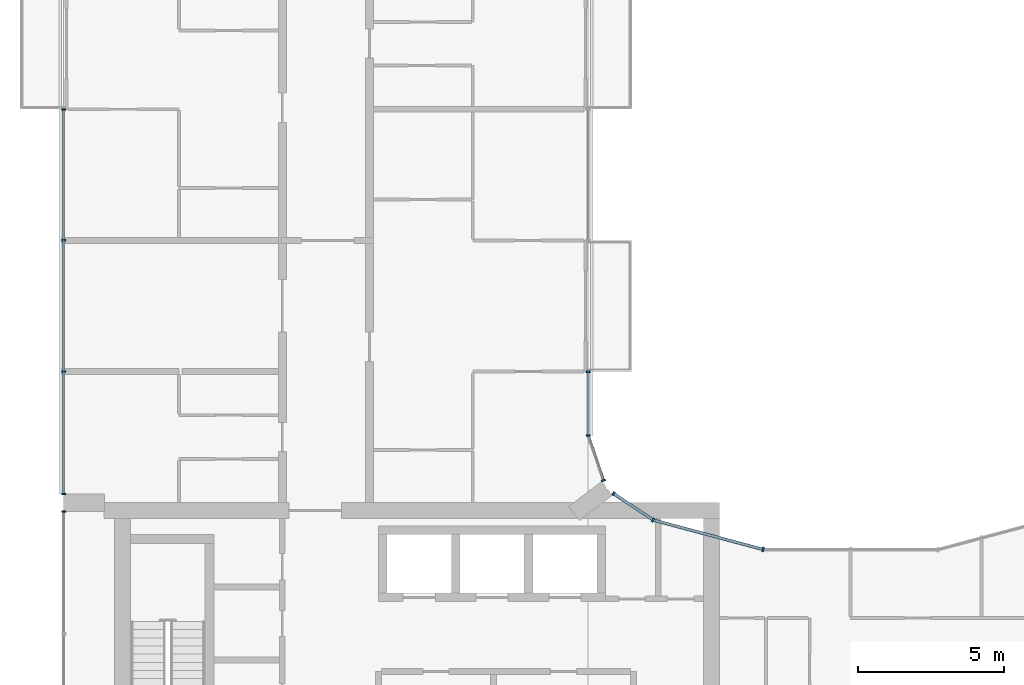
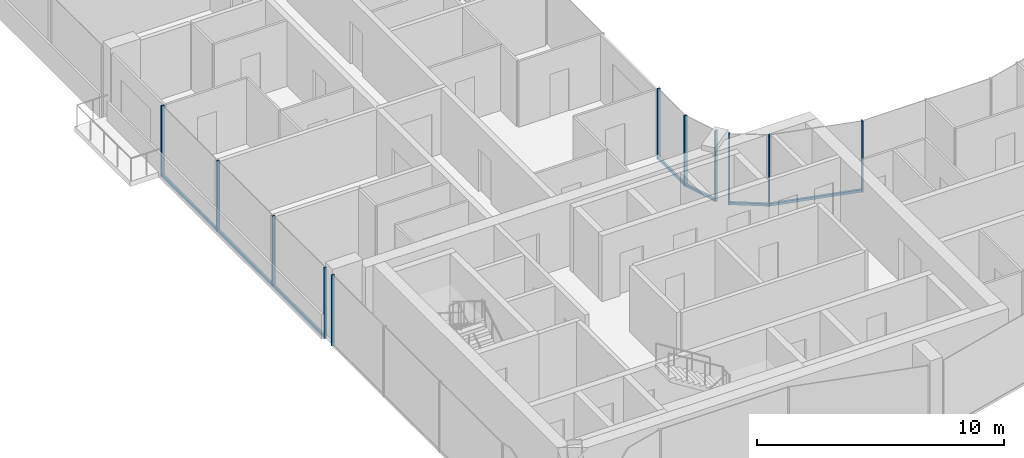
# One storey, part 4 of 15: 16 members, 6 elements without a shape of their own.
"""IFC4 building model written with IfcOpenShell, lengths in metres."""

from ifc_helpers import new_model, si_unit, direction, frame, origin, origin_2d, place, context, subcontext, project, spatial, rectangle, extrude, material, layer, layer_set, material_profile, profile_set, type_object, element, aggregate, save


model = new_model("IFC4")

# Units and contexts
model_context = context("Model", 3, precision=1e-05, world=origin(), true_north=direction((0.0, 1.0)))
body_context = subcontext(model_context, "Body", "Model", "MODEL_VIEW")
ifc_project = project(units=[si_unit("LENGTHUNIT", "METRE"), si_unit("AREAUNIT", "SQUARE_METRE"), si_unit("VOLUMEUNIT", "CUBIC_METRE"), si_unit("PLANEANGLEUNIT", "RADIAN"), si_unit("MASSUNIT", "GRAM", prefix="KILO")], contexts=[model_context])

# Site, building, storey
site_placement = place(None, origin())
site = spatial("IfcSite", under=ifc_project, at=site_placement, CompositionType="ELEMENT")
building_placement = place(site_placement, origin())
building = spatial("IfcBuilding", under=site, at=building_placement, Name="Plateau Cross Towers", CompositionType="ELEMENT")
storey_placement = place(building_placement, frame((0.0, 0.0, 201.39990234375)))
storey = spatial("IfcBuildingStorey", under=building, at=storey_placement, Name="L52", CompositionType="ELEMENT", Elevation=201.39990234375)

# Curtain wall, members
ifc_material_1 = material(Name="Dark low-iron glass", Category="glass")
ifc_layer_1 = layer(ifc_material_1, 0.239990234375)
ifc_layer_set_1 = layer_set([ifc_layer_1], Name="Dark low-iron glass")
curtain_wall_type_1 = type_object("IfcCurtainWallType", Name="Curtain wall flush unitised CW-B", PredefinedType="NOTDEFINED", material=ifc_layer_set_1)
curtain_wall_1_placement = place(storey_placement, origin())
curtain_wall_1 = element("IfcCurtainWall", 1, at=curtain_wall_1_placement, inside=storey, type_object=curtain_wall_type_1, Name="ENV/A/L52/A202_174", PredefinedType="NOTDEFINED")
ifc_material_2 = material(Name="Black anodised aluminium", Category="aluminium")
ifc_material_profile_1 = material_profile(ifc_material_2, rectangle(XDim=0.06005859375, YDim=0.139892578125, at=origin_2d()), Name="MULLION 60x140")
ifc_profile_set_1 = profile_set([ifc_material_profile_1], Name="Black anodised aluminium")
member_type_1 = type_object("IfcMemberType", Name="Mullion 60x140 flush unitised", PredefinedType="MULLION", material=ifc_profile_set_1)
member_1_placement = place(storey_placement, frame((20.223876953125, 17.404296875, -0.25), z_axis=(0.0, 0.0, 1.0), x_axis=(-0.831521253329, 0.555492938984, 0.0)))
member_1 = element("IfcMember", 2, at=member_1_placement, type_object=member_type_1, Name="CW-B mullion 1", PredefinedType="MULLION", context=body_context, shape_type="SweptSolid", body=[
    extrude(rectangle(XDim=0.06005859375, YDim=0.139892578125, at=origin_2d()), origin(), (0.0, 0.0, 1.0), 3.5),
])
member_2_placement = place(storey_placement, frame((18.86962890625, 18.30908203125, -0.25), z_axis=(0.0, 0.0, 1.0), x_axis=(-0.831521253329, 0.555492938984, 0.0)))
member_2 = element("IfcMember", 3, at=member_2_placement, type_object=member_type_1, Name="CW-B mullion 2", PredefinedType="MULLION", context=body_context, shape_type="SweptSolid", body=[
    extrude(rectangle(XDim=0.06005859375, YDim=0.139892578125, at=origin_2d()), origin(), (0.0, 0.0, 1.0), 3.5),
])

# Curtain wall, member
curtain_wall_2_placement = place(storey_placement, origin())
curtain_wall_2 = element("IfcCurtainWall", 4, at=curtain_wall_2_placement, inside=storey, type_object=curtain_wall_type_1, Name="ENV/A/L52/A185_188", PredefinedType="NOTDEFINED")
member_3_placement = place(storey_placement, frame((18.523681640625, 18.760009765625, -0.25), z_axis=(0.0, 0.0, 1.0), x_axis=(-0.321469161574, 0.94692004845, 0.0)))
member_3 = element("IfcMember", 5, at=member_3_placement, type_object=member_type_1, Name="CW-B mullion 1", PredefinedType="MULLION", context=body_context, shape_type="SweptSolid", body=[
    extrude(rectangle(XDim=0.06005859375, YDim=0.139892578125, at=origin_2d()), origin(), (0.0, 0.0, 1.0), 3.5),
])

# Curtain wall, members
curtain_wall_3_placement = place(storey_placement, origin())
curtain_wall_3 = element("IfcCurtainWall", 6, at=curtain_wall_3_placement, inside=storey, type_object=curtain_wall_type_1, Name="ENV/A/L52/A180_203", PredefinedType="NOTDEFINED")
member_4_placement = place(storey_placement, frame((18.0, 20.30224609375, -0.25), z_axis=(0.0, 0.0, 1.0), x_axis=(0.0, 1.0, 0.0)))
member_4 = element("IfcMember", 7, at=member_4_placement, type_object=member_type_1, Name="CW-B mullion 1", PredefinedType="MULLION", context=body_context, shape_type="SweptSolid", body=[
    extrude(rectangle(XDim=0.06005859375, YDim=0.139892578125, at=origin_2d()), origin(), (0.0, 0.0, 1.0), 3.5),
])
member_5_placement = place(storey_placement, frame((18.0, 22.489990234375, -0.25), z_axis=(0.0, 0.0, 1.0), x_axis=(0.0, 1.0, 0.0)))
member_5 = element("IfcMember", 8, at=member_5_placement, type_object=member_type_1, Name="CW-B mullion 2", PredefinedType="MULLION", context=body_context, shape_type="SweptSolid", body=[
    extrude(rectangle(XDim=0.06005859375, YDim=0.139892578125, at=origin_2d()), origin(), (0.0, 0.0, 1.0), 3.5),
])

curtain_wall_4_placement = place(storey_placement, origin())
curtain_wall_4 = element("IfcCurtainWall", 9, at=curtain_wall_4_placement, inside=storey, type_object=curtain_wall_type_1, Name="ENV/A/L52/A0_315", PredefinedType="NOTDEFINED")
member_6_placement = place(storey_placement, frame((0.0, 31.489990234375, -0.25), z_axis=(0.0, 0.0, 1.0), x_axis=(0.0, -1.0, 0.0)))
member_6 = element("IfcMember", 10, at=member_6_placement, type_object=member_type_1, Name="CW-B mullion 1", PredefinedType="MULLION", context=body_context, shape_type="SweptSolid", body=[
    extrude(rectangle(XDim=0.06005859375, YDim=0.139892578125, at=origin_2d()), origin(), (0.0, 0.0, 1.0), 3.5),
])
member_7_placement = place(storey_placement, frame((0.0, 27.0, -0.25), z_axis=(0.0, 0.0, 1.0), x_axis=(0.0, -1.0, 0.0)))
member_7 = element("IfcMember", 11, at=member_7_placement, type_object=member_type_1, Name="CW-B mullion 2", PredefinedType="MULLION", context=body_context, shape_type="SweptSolid", body=[
    extrude(rectangle(XDim=0.06005859375, YDim=0.139892578125, at=origin_2d()), origin(), (0.0, 0.0, 1.0), 3.5),
])
member_8_placement = place(storey_placement, frame((0.0, 22.5, -0.25), z_axis=(0.0, 0.0, 1.0), x_axis=(0.0, -1.0, 0.0)))
member_8 = element("IfcMember", 12, at=member_8_placement, type_object=member_type_1, Name="CW-B mullion 3", PredefinedType="MULLION", context=body_context, shape_type="SweptSolid", body=[
    extrude(rectangle(XDim=0.06005859375, YDim=0.139892578125, at=origin_2d()), origin(), (0.0, 0.0, 1.0), 3.5),
])
member_9_placement = place(storey_placement, frame((0.0, 18.300048828125, -0.25), z_axis=(0.0, 0.0, 1.0), x_axis=(0.0, -1.0, 0.0)))
member_9 = element("IfcMember", 13, at=member_9_placement, type_object=member_type_1, Name="CW-B mullion 4", PredefinedType="MULLION", context=body_context, shape_type="SweptSolid", body=[
    extrude(rectangle(XDim=0.06005859375, YDim=0.139892578125, at=origin_2d()), origin(), (0.0, 0.0, 1.0), 3.5),
])

# Curtain wall, member
curtain_wall_5_placement = place(storey_placement, origin())
curtain_wall_5 = element("IfcCurtainWall", 14, at=curtain_wall_5_placement, inside=storey, type_object=curtain_wall_type_1, Name="ENV/A/L52/A0_177", PredefinedType="NOTDEFINED")
member_10_placement = place(storey_placement, frame((0.0, 17.699951171875, -0.25), z_axis=(0.0, 0.0, 1.0), x_axis=(0.0, -1.0, 0.0)))
member_10 = element("IfcMember", 15, at=member_10_placement, type_object=member_type_1, Name="CW-B mullion 1", PredefinedType="MULLION", context=body_context, shape_type="SweptSolid", body=[
    extrude(rectangle(XDim=0.06005859375, YDim=0.139892578125, at=origin_2d()), origin(), (0.0, 0.0, 1.0), 3.5),
])
aggregate(curtain_wall_5, [member_10])

ifc_layer_2 = layer(ifc_material_1, 0.260009765625)
ifc_layer_set_2 = layer_set([ifc_layer_2], Name="Dark low-iron glass")
curtain_wall_type_2 = type_object("IfcCurtainWallType", Name="Curtain wall fluted unitised CW-A", PredefinedType="NOTDEFINED", material=ifc_layer_set_2)
curtain_wall_6_placement = place(storey_placement, origin())
curtain_wall_6 = element("IfcCurtainWall", 16, at=curtain_wall_6_placement, inside=storey, type_object=curtain_wall_type_2, Name="ENV/A/L52/A240_164", PredefinedType="NOTDEFINED")
ifc_material_profile_2 = material_profile(ifc_material_2, rectangle(XDim=0.06005859375, YDim=0.159912109375, at=origin_2d()), Name="MULLION 60x160")
ifc_profile_set_2 = profile_set([ifc_material_profile_2], Name="Black anodised aluminium")
member_type_2 = type_object("IfcMemberType", Name="Mullion 60x160 fluted unitised", PredefinedType="MULLION", material=ifc_profile_set_2)
member_11_placement = place(storey_placement, frame((24.0, 16.39306640625, -0.25), z_axis=(0.0, 0.0, 1.0), x_axis=(-0.965957995816, 0.258698956933, 0.0)))
member_11 = element("IfcMember", 17, at=member_11_placement, type_object=member_type_2, Name="CW-A mullion 1", PredefinedType="MULLION", context=body_context, shape_type="SweptSolid", body=[
    extrude(rectangle(XDim=0.06005859375, YDim=0.159912109375, at=origin_2d()), origin(), (0.0, 0.0, 1.0), 3.5),
])

# Member
ifc_material_profile_3 = material_profile(ifc_material_2, rectangle(XDim=0.10009765625, YDim=0.1201171875, at=origin_2d()), Name="TRANSOM 100x120")
ifc_profile_set_3 = profile_set([ifc_material_profile_3], Name="Black anodised aluminium")
member_type_3 = type_object("IfcMemberType", Name="Transom 100x120 flush unitised", PredefinedType="USERDEFINED", material=ifc_profile_set_3)
member_12_placement = place(storey_placement, frame((20.223876953125, 17.404296875, -0.18994140625), z_axis=(-0.831496402487, 0.555530136582, 0.0), x_axis=(-0.555530136582, -0.831496402487, 0.0)))
member_12 = element("IfcMember", 18, at=member_12_placement, type_object=member_type_3, Name="CW-B transom", ObjectType="TRANSOM", PredefinedType="USERDEFINED", context=body_context, shape_type="SweptSolid", body=[
    extrude(rectangle(XDim=0.10009765625, YDim=0.1201171875, at=origin_2d()), origin(), (0.0, 0.0, 1.0), 1.628662109375),
])

aggregate(curtain_wall_1, [member_1, member_2, member_12])

member_13_placement = place(storey_placement, frame((18.523681640625, 18.760009765625, -0.18994140625), z_axis=(-0.321529174838, 0.946899672472, 0.0), x_axis=(-0.946899672472, -0.321529174838, 0.0)))
member_13 = element("IfcMember", 19, at=member_13_placement, type_object=member_type_3, Name="CW-B transom", ObjectType="TRANSOM", PredefinedType="USERDEFINED", context=body_context, shape_type="SweptSolid", body=[
    extrude(rectangle(XDim=0.10009765625, YDim=0.1201171875, at=origin_2d()), origin(), (0.0, 0.0, 1.0), 1.628662109375),
])

aggregate(curtain_wall_2, [member_3, member_13])

member_14_placement = place(storey_placement, frame((18.0, 20.30224609375, -0.18994140625), z_axis=(0.0, 1.0, 0.0), x_axis=(-1.0, 0.0, 0.0)))
member_14 = element("IfcMember", 20, at=member_14_placement, type_object=member_type_3, Name="CW-B transom", ObjectType="TRANSOM", PredefinedType="USERDEFINED", context=body_context, shape_type="SweptSolid", body=[
    extrude(rectangle(XDim=0.10009765625, YDim=0.1201171875, at=origin_2d()), origin(), (0.0, 0.0, 1.0), 2.187744140625),
])

aggregate(curtain_wall_3, [member_4, member_5, member_14])

member_15_placement = place(storey_placement, frame((0.0, 31.489990234375, -0.18994140625), z_axis=(0.0, -1.0, 0.0), x_axis=(1.0, 0.0, 0.0)))
member_15 = element("IfcMember", 21, at=member_15_placement, type_object=member_type_3, Name="CW-B transom", ObjectType="TRANSOM", PredefinedType="USERDEFINED", context=body_context, shape_type="SweptSolid", body=[
    extrude(rectangle(XDim=0.10009765625, YDim=0.1201171875, at=origin_2d()), origin(), (0.0, 0.0, 1.0), 13.18994140625),
])

aggregate(curtain_wall_4, [member_6, member_7, member_8, member_9, member_15])

ifc_material_profile_4 = material_profile(ifc_material_2, rectangle(XDim=0.10009765625, YDim=0.1201171875, at=origin_2d()), Name="TRANSOM 100x120")
ifc_profile_set_4 = profile_set([ifc_material_profile_4], Name="Black anodised aluminium")
member_type_4 = type_object("IfcMemberType", Name="Transom 100x120 fluted unitised", PredefinedType="USERDEFINED", material=ifc_profile_set_4)
member_16_placement = place(storey_placement, frame((24.0, 16.39306640625, -0.18994140625), z_axis=(-0.965962822393, 0.25868093427, 0.0), x_axis=(-0.25868093427, -0.965962822393, 0.0)))
member_16 = element("IfcMember", 22, at=member_16_placement, type_object=member_type_4, Name="CW-A transom", ObjectType="TRANSOM", PredefinedType="USERDEFINED", context=body_context, shape_type="SweptSolid", body=[
    extrude(rectangle(XDim=0.10009765625, YDim=0.1201171875, at=origin_2d()), origin(), (0.0, 0.0, 1.0), 3.9091796875),
])

aggregate(curtain_wall_6, [member_11, member_16])

save(model, "model.ifc")
